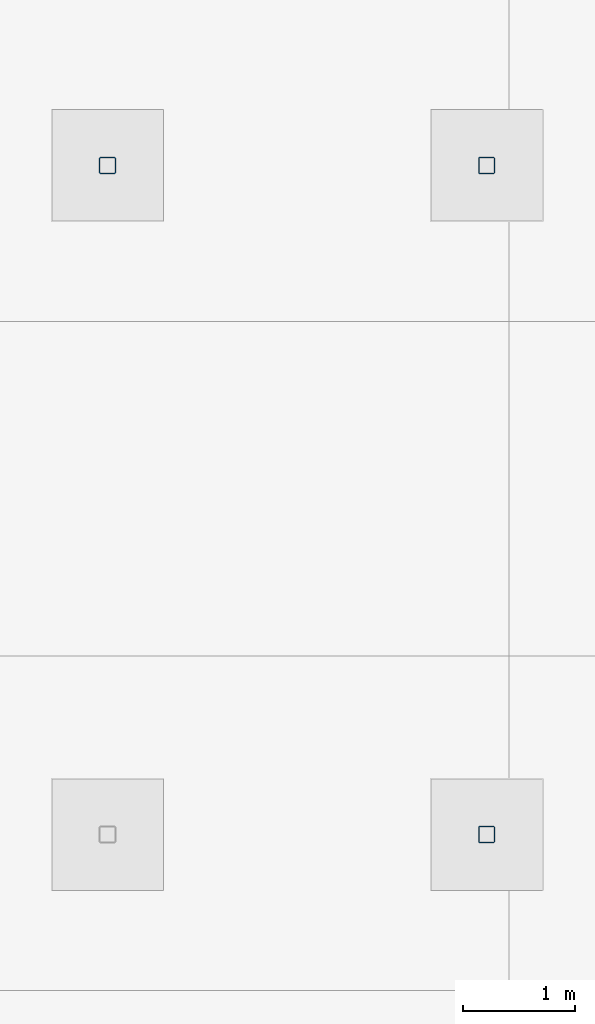
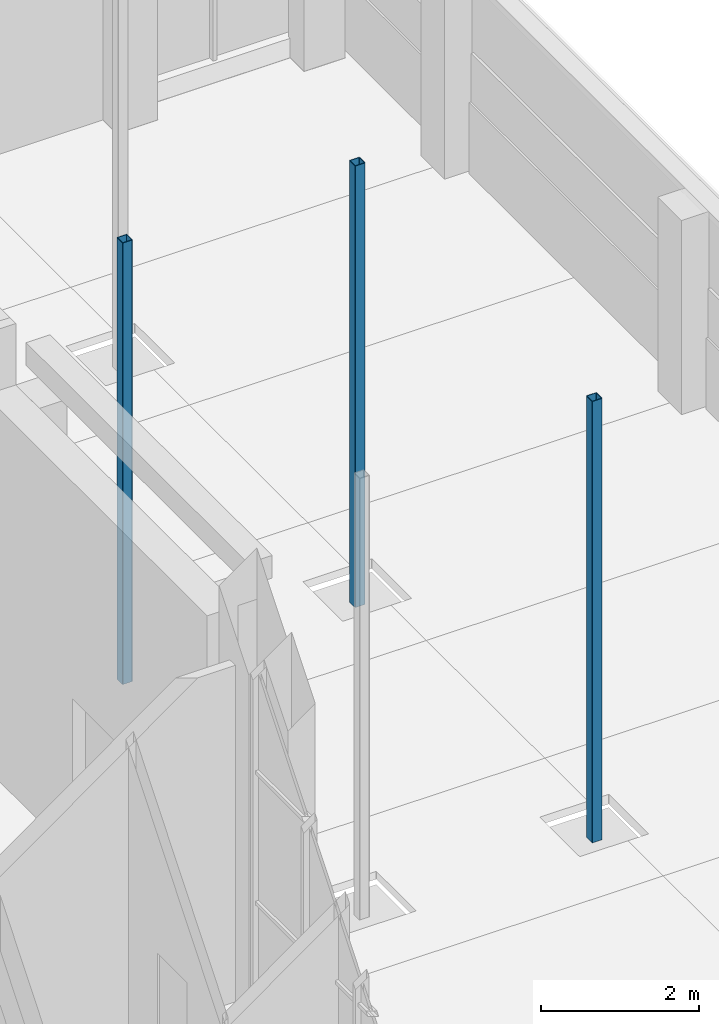
# One storey, part 15 of 95: 3 columns.
"""IFC4 building model written with IfcOpenShell, lengths in metres."""

from ifc_helpers import new_model, si_unit, direction, frame, origin, origin_2d, place, context, subcontext, project, spatial, hollow_rectangle, extrude, material, material_profile, profile_set, type_object, element, save


model = new_model("IFC4")

# Units and contexts
model_context = context("Model", 3, precision=1e-05, world=origin(), true_north=direction((0.0, 1.0)))
body_context = subcontext(model_context, "Body", "Model", "MODEL_VIEW")
ifc_project = project(units=[si_unit("LENGTHUNIT", "METRE"), si_unit("AREAUNIT", "SQUARE_METRE"), si_unit("VOLUMEUNIT", "CUBIC_METRE"), si_unit("PLANEANGLEUNIT", "RADIAN"), si_unit("MASSUNIT", "GRAM", prefix="KILO")], contexts=[model_context])

# Site, building, storey
site_placement = place(None, origin())
site = spatial("IfcSite", under=ifc_project, at=site_placement, CompositionType="ELEMENT")
building_placement = place(site_placement, origin())
building = spatial("IfcBuilding", under=site, at=building_placement, Name="Saffron Lane Theatres", CompositionType="ELEMENT")
storey_placement = place(building_placement, origin())
storey = spatial("IfcBuildingStorey", under=building, at=storey_placement, Name="L00", CompositionType="ELEMENT", Elevation=0.0)

# Columns
ifc_material = material(Name="Steel Grade 350", Category="steel")
ifc_material_profile = material_profile(ifc_material, hollow_rectangle(XDim=0.14990234375, YDim=0.14990234375, WallThickness=0.009033203125, InnerFilletRadius=0.00439453125, OuterFilletRadius=0.013427734375, at=origin_2d()))
ifc_profile_set = profile_set([ifc_material_profile], Name="Steel Grade 350")
column_type = type_object("IfcColumnType", Name="ST-CANOPY COLUMN 150x150x9 SHS", PredefinedType="COLUMN", material=ifc_profile_set)
for number, where, z_axis, x_axis, name in (
    (1, (59.800048828125, 85.39990234375, -0.199951171875), (0.0, 0.0, 1.0), (1.0, 0.0, 0.0), "CCE10"),
    (2, (56.39990234375, 91.39990234375, -0.199951171875), (0.0, 0.0, 1.0), (1.0, 0.0, 0.0), "CCW11"),
    (3, (59.800048828125, 91.39990234375, -0.199951171875), (0.0, 0.0, 1.0), (1.0, 0.0, 0.0), "CCE11"),
):
    element("IfcColumn", number, at=place(storey_placement, frame(where, z_axis=z_axis, x_axis=x_axis)), inside=storey, type_object=column_type, Name=name, PredefinedType="COLUMN", context=body_context, shape_type="SweptSolid", body=[
        extrude(hollow_rectangle(XDim=0.14990234375, YDim=0.14990234375, WallThickness=0.009033203125, InnerFilletRadius=0.00439453125, OuterFilletRadius=0.013427734375, at=origin_2d()), origin(), (0.0, 0.0, 1.0), 6.822021484375),
    ])

save(model, "model.ifc")
